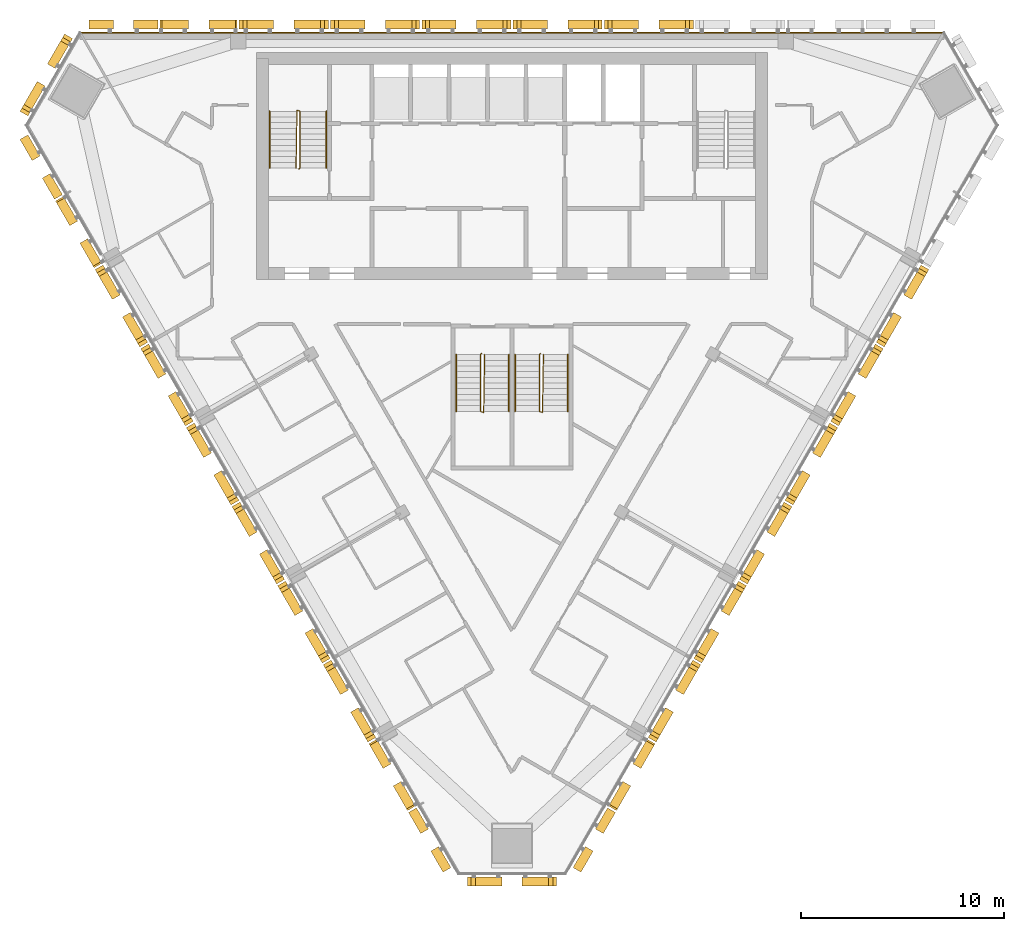
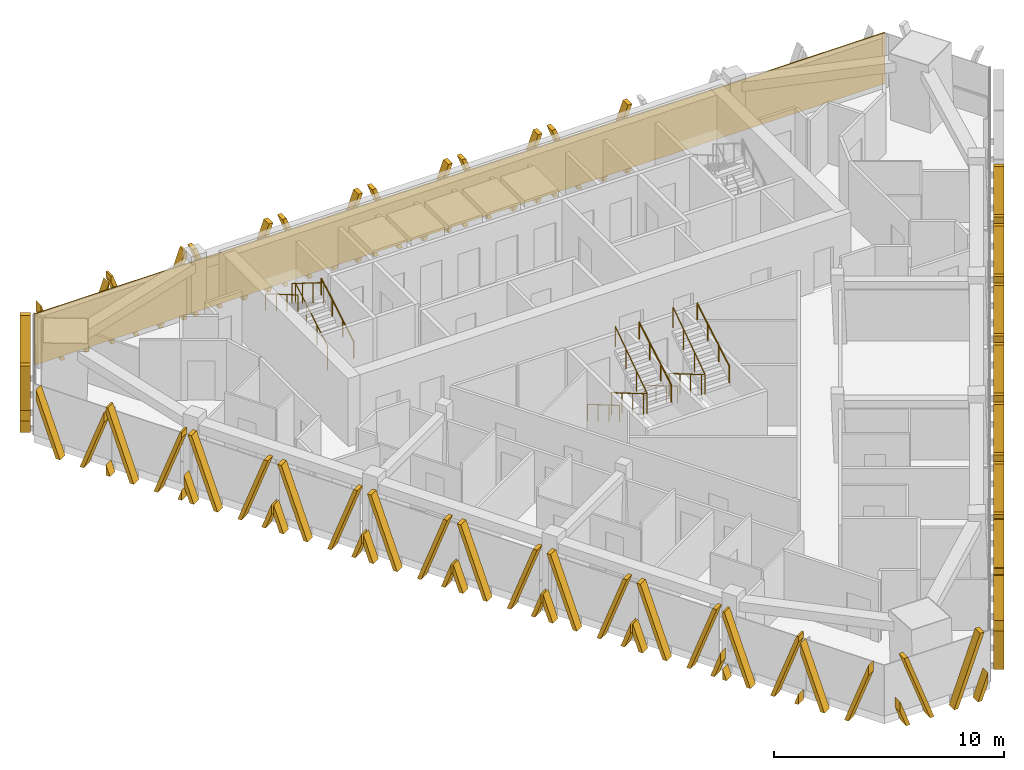
# One storey, part 13 of 15: 27 shading devices, 9 railings, 1 covering.
"""IFC4 building model written with IfcOpenShell, lengths in metres."""

from ifc_helpers import new_model, si_unit, direction, frame, frame_2d, origin, origin_2d, place, context, subcontext, project, spatial, polyline, rectangle, circle, outline, extrude, source, transform, mapped, material, layer, layer_set, type_object, element, save


model = new_model("IFC4")

# Units and contexts
model_context = context("Model", 3, precision=1e-05, world=origin(), true_north=direction((0.0, 1.0)))
body_context = subcontext(model_context, "Body", "Model", "MODEL_VIEW")
ifc_project = project(units=[si_unit("LENGTHUNIT", "METRE"), si_unit("AREAUNIT", "SQUARE_METRE"), si_unit("VOLUMEUNIT", "CUBIC_METRE"), si_unit("PLANEANGLEUNIT", "RADIAN"), si_unit("MASSUNIT", "GRAM", prefix="KILO")], contexts=[model_context])

# Site, building, storey
site_placement = place(None, origin())
site = spatial("IfcSite", under=ifc_project, at=site_placement, CompositionType="ELEMENT")
building_placement = place(site_placement, origin())
building = spatial("IfcBuilding", under=site, at=building_placement, Name="Altiplano Prism Tower", CompositionType="ELEMENT")
storey_placement = place(building_placement, frame((0.0, 0.0, 246.39990234375)))
storey = spatial("IfcBuildingStorey", under=building, at=storey_placement, Name="L63", CompositionType="ELEMENT", Elevation=246.39990234375)

# Railings
ifc_material_1 = material(Name="Steel S355", Category="steel")
railing_type_1 = type_object("IfcRailingType", Name="Stair guard 1100", PredefinedType="GUARDRAIL", material=ifc_material_1)
railing_1_placement = place(storey_placement, frame((74.5, 98.25, 0.0)))
element("IfcRailing", 1, at=railing_1_placement, inside=storey, type_object=railing_type_1, Name="L63 ST1 stair guard 1", PredefinedType="GUARDRAIL", context=body_context, shape_type="SweptSolid", body=[
    extrude(circle(Radius=0.02392578125, at=origin_2d()), frame((0.0, 0.0, 1.076171875), z_axis=(0.280456126637, 0.280456126637, 0.917980785237), x_axis=(-0.707106781187, 0.707106781187, 0.0)), (0.0, 0.0, 1.0), 0.178466796875),
    extrude(circle(Radius=0.02392578125, at=origin_2d()), frame((0.050048828125, 0.050048828125, 1.23974609375), z_axis=(0.0, 0.863393664356, 0.504530851732), x_axis=(-1.0, 0.0, 0.0)), (0.0, 0.0, 1.0), 3.2431640625),
    extrude(circle(Radius=0.02392578125, at=origin_2d()), frame((0.050048828125, 2.85009765625, 2.8759765625), z_axis=(-0.949145278916, 0.314838433982, 0.0), x_axis=(-0.314838433982, -0.949145278916, 0.0)), (0.0, 0.0, 1.0), 0.158203125),
    extrude(circle(Radius=0.02392578125, at=origin_2d()), frame((-0.10009765625, 2.89990234375, 2.8759765625), z_axis=(-0.01477401265, -0.845377694409, 0.533964682676), x_axis=(0.999847325713, -0.01747355902, 0.0)), (0.0, 0.0, 1.0), 3.37109375),
    extrude(circle(Radius=0.02099609375, at=origin_2d()), origin(), (0.0, 0.0, 1.0), 1.052001953125),
    extrude(circle(Radius=0.02099609375, at=origin_2d()), frame((0.050048828125, 0.050048828125, 0.163818359375)), (0.0, 0.0, 1.0), 1.052001953125),
    extrude(circle(Radius=0.02099609375, at=origin_2d()), frame((0.050048828125, 0.9833984375, 0.709228515625)), (0.0, 0.0, 1.0), 1.052001953125),
    extrude(circle(Radius=0.02099609375, at=origin_2d()), frame((0.050048828125, 1.916748046875, 1.254638671875)), (0.0, 0.0, 1.0), 1.052001953125),
    extrude(circle(Radius=0.02099609375, at=origin_2d()), frame((0.050048828125, 2.85009765625, 1.800048828125)), (0.0, 0.0, 1.0), 1.052001953125),
    extrude(circle(Radius=0.02099609375, at=origin_2d()), frame((-0.10009765625, 2.89990234375, 1.800048828125)), (0.0, 0.0, 1.0), 1.052001953125),
    extrude(circle(Radius=0.02099609375, at=origin_2d()), frame((-0.11669921875, 1.949951171875, 2.400146484375)), (0.0, 0.0, 1.0), 1.052001953125),
    extrude(circle(Radius=0.02099609375, at=origin_2d()), frame((-0.13330078125, 1.0, 3.0)), (0.0, 0.0, 1.0), 1.052001953125),
    extrude(circle(Radius=0.02099609375, at=origin_2d()), frame((-0.14990234375, 0.050048828125, 3.60009765625)), (0.0, 0.0, 1.0), 1.052001953125),
])
railing_2_placement = place(storey_placement, frame((83.5, 89.14990234375, 0.0)))
element("IfcRailing", 2, at=railing_2_placement, inside=storey, type_object=railing_type_1, Name="L63 ST3A stair guard 1", PredefinedType="GUARDRAIL", context=body_context, shape_type="SweptSolid", body=[
    extrude(circle(Radius=0.02392578125, at=origin_2d()), frame((0.0, 0.0, 1.076171875), z_axis=(-0.280563532951, -0.279194930351, 0.91833234444), x_axis=(0.705375805398, -0.708833529934, 0.0)), (0.0, 0.0, 1.0), 0.178466796875),
    extrude(circle(Radius=0.02392578125, at=origin_2d()), frame((-0.050048828125, -0.0498046875, 1.23974609375), z_axis=(0.0, -0.863393664356, 0.504530851732), x_axis=(1.0, 0.0, 0.0)), (0.0, 0.0, 1.0), 3.2431640625),
    extrude(circle(Radius=0.02392578125, at=origin_2d()), frame((-0.050048828125, -2.849853515625, 2.8759765625), z_axis=(0.948683298051, -0.316227766017, 0.0), x_axis=(0.316227766017, 0.948683298051, 0.0)), (0.0, 0.0, 1.0), 0.158203125),
    extrude(circle(Radius=0.02392578125, at=origin_2d()), frame((0.10009765625, -2.89990234375, 2.8759765625), z_axis=(0.014773108175, 0.84539835705, 0.533931993021), x_axis=(-0.999847351862, 0.017472062685, 0.0)), (0.0, 0.0, 1.0), 3.371337890625),
    extrude(circle(Radius=0.02099609375, at=origin_2d()), origin(), (0.0, 0.0, 1.0), 1.052001953125),
    extrude(circle(Radius=0.02099609375, at=origin_2d()), frame((-0.050048828125, -0.0498046875, 0.163818359375)), (0.0, 0.0, 1.0), 1.052001953125),
    extrude(circle(Radius=0.02099609375, at=origin_2d()), frame((-0.050048828125, -0.983154296875, 0.709228515625)), (0.0, 0.0, 1.0), 1.052001953125),
    extrude(circle(Radius=0.02099609375, at=origin_2d()), frame((-0.050048828125, -1.91650390625, 1.254638671875)), (0.0, 0.0, 1.0), 1.052001953125),
    extrude(circle(Radius=0.02099609375, at=origin_2d()), frame((-0.050048828125, -2.849853515625, 1.800048828125)), (0.0, 0.0, 1.0), 1.052001953125),
    extrude(circle(Radius=0.02099609375, at=origin_2d()), frame((0.10009765625, -2.89990234375, 1.800048828125)), (0.0, 0.0, 1.0), 1.052001953125),
    extrude(circle(Radius=0.02099609375, at=origin_2d()), frame((0.11669921875, -1.949951171875, 2.400146484375)), (0.0, 0.0, 1.0), 1.052001953125),
    extrude(circle(Radius=0.02099609375, at=origin_2d()), frame((0.13330078125, -0.999755859375, 3.0)), (0.0, 0.0, 1.0), 1.052001953125),
    extrude(circle(Radius=0.02099609375, at=origin_2d()), frame((0.14990234375, -0.0498046875, 3.60009765625)), (0.0, 0.0, 1.0), 1.052001953125),
])
railing_3_placement = place(storey_placement, frame((86.39990234375, 89.14990234375, 0.0)))
element("IfcRailing", 3, at=railing_3_placement, inside=storey, type_object=railing_type_1, Name="L63 ST3B stair guard 1", PredefinedType="GUARDRAIL", context=body_context, shape_type="SweptSolid", body=[
    extrude(circle(Radius=0.02392578125, at=origin_2d()), frame((0.0, 0.0, 1.076171875), z_axis=(-0.279301935624, -0.279301935624, 0.918684307863), x_axis=(0.707106781187, -0.707106781187, 0.0)), (0.0, 0.0, 1.0), 0.17822265625),
    extrude(circle(Radius=0.02392578125, at=origin_2d()), frame((-0.0498046875, -0.0498046875, 1.23974609375), z_axis=(0.0, -0.863393664356, 0.504530851732), x_axis=(1.0, 0.0, 0.0)), (0.0, 0.0, 1.0), 3.2431640625),
    extrude(circle(Radius=0.02392578125, at=origin_2d()), frame((-0.0498046875, -2.849853515625, 2.8759765625), z_axis=(0.948528701346, -0.316691178788, 0.0), x_axis=(0.316691178788, 0.948528701346, 0.0)), (0.0, 0.0, 1.0), 0.157958984375),
    extrude(circle(Radius=0.02392578125, at=origin_2d()), frame((0.10009765625, -2.89990234375, 2.8759765625), z_axis=(0.014845509451, 0.845397450405, 0.533931420407), x_axis=(-0.999845851991, 0.017557683712, 0.0)), (0.0, 0.0, 1.0), 3.371337890625),
    extrude(circle(Radius=0.02099609375, at=origin_2d()), origin(), (0.0, 0.0, 1.0), 1.052001953125),
    extrude(circle(Radius=0.02099609375, at=origin_2d()), frame((-0.0498046875, -0.0498046875, 0.163818359375)), (0.0, 0.0, 1.0), 1.052001953125),
    extrude(circle(Radius=0.02099609375, at=origin_2d()), frame((-0.0498046875, -0.983154296875, 0.709228515625)), (0.0, 0.0, 1.0), 1.052001953125),
    extrude(circle(Radius=0.02099609375, at=origin_2d()), frame((-0.0498046875, -1.91650390625, 1.254638671875)), (0.0, 0.0, 1.0), 1.052001953125),
    extrude(circle(Radius=0.02099609375, at=origin_2d()), frame((-0.0498046875, -2.849853515625, 1.800048828125)), (0.0, 0.0, 1.0), 1.052001953125),
    extrude(circle(Radius=0.02099609375, at=origin_2d()), frame((0.10009765625, -2.89990234375, 1.800048828125)), (0.0, 0.0, 1.0), 1.052001953125),
    extrude(circle(Radius=0.02099609375, at=origin_2d()), frame((0.11669921875, -1.949951171875, 2.400146484375)), (0.0, 0.0, 1.0), 1.052001953125),
    extrude(circle(Radius=0.02099609375, at=origin_2d()), frame((0.133544921875, -0.999755859375, 3.0)), (0.0, 0.0, 1.0), 1.052001953125),
    extrude(circle(Radius=0.02099609375, at=origin_2d()), frame((0.150146484375, -0.0498046875, 3.60009765625)), (0.0, 0.0, 1.0), 1.052001953125),
])
railing_type_2 = type_object("IfcRailingType", Name="Stair handrail 900", PredefinedType="HANDRAIL", material=ifc_material_1)
railing_4_placement = place(storey_placement, frame((75.85009765625, 98.300048828125, 0.163818359375)))
element("IfcRailing", 4, at=railing_4_placement, inside=storey, type_object=railing_type_2, Name="L63 ST1 stair handrail 1", PredefinedType="HANDRAIL", context=body_context, shape_type="SweptSolid", body=[
    extrude(circle(Radius=0.02392578125, at=origin_2d()), frame((0.0, 0.0, 0.8759765625), z_axis=(0.0, 0.863393664356, 0.504530851732), x_axis=(-1.0, 0.0, 0.0)), (0.0, 0.0, 1.0), 3.2431640625),
    extrude(circle(Radius=0.02099609375, at=origin_2d()), origin(), (0.0, 0.0, 1.0), 0.851806640625),
    extrude(circle(Radius=0.02099609375, at=origin_2d()), frame((0.0, 0.933349609375, 0.54541015625)), (0.0, 0.0, 1.0), 0.851806640625),
    extrude(circle(Radius=0.02099609375, at=origin_2d()), frame((0.0, 1.86669921875, 1.0908203125)), (0.0, 0.0, 1.0), 0.851806640625),
    extrude(circle(Radius=0.02099609375, at=origin_2d()), frame((0.0, 2.800048828125, 1.63623046875)), (0.0, 0.0, 1.0), 0.851806640625),
])
railing_5_placement = place(storey_placement, frame((73.050048828125, 101.10009765625, 1.963623046875)))
element("IfcRailing", 5, at=railing_5_placement, inside=storey, type_object=railing_type_2, Name="L63 ST1 stair handrail 2", PredefinedType="HANDRAIL", context=body_context, shape_type="SweptSolid", body=[
    extrude(circle(Radius=0.02392578125, at=origin_2d()), frame((0.0, 0.0, 0.8759765625), z_axis=(0.0, -0.863360870873, 0.504586966384), x_axis=(1.0, 0.0, 0.0)), (0.0, 0.0, 1.0), 3.2431640625),
    extrude(circle(Radius=0.02099609375, at=origin_2d()), origin(), (0.0, 0.0, 1.0), 0.851806640625),
    extrude(circle(Radius=0.02099609375, at=origin_2d()), frame((0.0, -0.933349609375, 0.54541015625)), (0.0, 0.0, 1.0), 0.851806640625),
    extrude(circle(Radius=0.02099609375, at=origin_2d()), frame((0.0, -1.86669921875, 1.091064453125)), (0.0, 0.0, 1.0), 0.851806640625),
    extrude(circle(Radius=0.02099609375, at=origin_2d()), frame((0.0, -2.800048828125, 1.636474609375)), (0.0, 0.0, 1.0), 0.851806640625),
])
railing_6_placement = place(storey_placement, frame((82.25, 89.10009765625, 0.163818359375)))
element("IfcRailing", 6, at=railing_6_placement, inside=storey, type_object=railing_type_2, Name="L63 ST3A stair handrail 1", PredefinedType="HANDRAIL", context=body_context, shape_type="SweptSolid", body=[
    extrude(circle(Radius=0.02392578125, at=origin_2d()), frame((0.0, 0.0, 0.8759765625), z_axis=(0.0, -0.863393664356, 0.504530851732), x_axis=(1.0, 0.0, 0.0)), (0.0, 0.0, 1.0), 3.2431640625),
    extrude(circle(Radius=0.02099609375, at=origin_2d()), origin(), (0.0, 0.0, 1.0), 0.851806640625),
    extrude(circle(Radius=0.02099609375, at=origin_2d()), frame((0.0, -0.933349609375, 0.54541015625)), (0.0, 0.0, 1.0), 0.851806640625),
    extrude(circle(Radius=0.02099609375, at=origin_2d()), frame((0.0, -1.86669921875, 1.0908203125)), (0.0, 0.0, 1.0), 0.851806640625),
    extrude(circle(Radius=0.02099609375, at=origin_2d()), frame((0.0, -2.800048828125, 1.63623046875)), (0.0, 0.0, 1.0), 0.851806640625),
])
railing_7_placement = place(storey_placement, frame((84.85009765625, 86.300048828125, 1.963623046875)))
element("IfcRailing", 7, at=railing_7_placement, inside=storey, type_object=railing_type_2, Name="L63 ST3A stair handrail 2", PredefinedType="HANDRAIL", context=body_context, shape_type="SweptSolid", body=[
    extrude(circle(Radius=0.02392578125, at=origin_2d()), frame((0.0, 0.0, 0.8759765625), z_axis=(0.0, 0.863360870873, 0.504586966384), x_axis=(-1.0, 0.0, 0.0)), (0.0, 0.0, 1.0), 3.2431640625),
    extrude(circle(Radius=0.02099609375, at=origin_2d()), origin(), (0.0, 0.0, 1.0), 0.851806640625),
    extrude(circle(Radius=0.02099609375, at=origin_2d()), frame((0.0, 0.933349609375, 0.54541015625)), (0.0, 0.0, 1.0), 0.851806640625),
    extrude(circle(Radius=0.02099609375, at=origin_2d()), frame((0.0, 1.86669921875, 1.091064453125)), (0.0, 0.0, 1.0), 0.851806640625),
    extrude(circle(Radius=0.02099609375, at=origin_2d()), frame((0.0, 2.800048828125, 1.636474609375)), (0.0, 0.0, 1.0), 0.851806640625),
])
railing_8_placement = place(storey_placement, frame((85.14990234375, 89.10009765625, 0.163818359375)))
element("IfcRailing", 8, at=railing_8_placement, inside=storey, type_object=railing_type_2, Name="L63 ST3B stair handrail 1", PredefinedType="HANDRAIL", context=body_context, shape_type="SweptSolid", body=[
    extrude(circle(Radius=0.02392578125, at=origin_2d()), frame((0.0, 0.0, 0.8759765625), z_axis=(0.0, -0.863393664356, 0.504530851732), x_axis=(1.0, 0.0, 0.0)), (0.0, 0.0, 1.0), 3.2431640625),
    extrude(circle(Radius=0.02099609375, at=origin_2d()), origin(), (0.0, 0.0, 1.0), 0.851806640625),
    extrude(circle(Radius=0.02099609375, at=origin_2d()), frame((0.0, -0.933349609375, 0.54541015625)), (0.0, 0.0, 1.0), 0.851806640625),
    extrude(circle(Radius=0.02099609375, at=origin_2d()), frame((0.0, -1.86669921875, 1.0908203125)), (0.0, 0.0, 1.0), 0.851806640625),
    extrude(circle(Radius=0.02099609375, at=origin_2d()), frame((0.0, -2.800048828125, 1.63623046875)), (0.0, 0.0, 1.0), 0.851806640625),
])
railing_9_placement = place(storey_placement, frame((87.75, 86.300048828125, 1.963623046875)))
element("IfcRailing", 9, at=railing_9_placement, inside=storey, type_object=railing_type_2, Name="L63 ST3B stair handrail 2", PredefinedType="HANDRAIL", context=body_context, shape_type="SweptSolid", body=[
    extrude(circle(Radius=0.02392578125, at=origin_2d()), frame((0.0, 0.0, 0.8759765625), z_axis=(0.0, 0.863360870873, 0.504586966384), x_axis=(-1.0, 0.0, 0.0)), (0.0, 0.0, 1.0), 3.2431640625),
    extrude(circle(Radius=0.02099609375, at=origin_2d()), origin(), (0.0, 0.0, 1.0), 0.851806640625),
    extrude(circle(Radius=0.02099609375, at=origin_2d()), frame((0.0, 0.933349609375, 0.54541015625)), (0.0, 0.0, 1.0), 0.851806640625),
    extrude(circle(Radius=0.02099609375, at=origin_2d()), frame((0.0, 1.86669921875, 1.091064453125)), (0.0, 0.0, 1.0), 0.851806640625),
    extrude(circle(Radius=0.02099609375, at=origin_2d()), frame((0.0, 2.800048828125, 1.636474609375)), (0.0, 0.0, 1.0), 0.851806640625),
])

# Covering
ifc_material_2 = material(Name="Warm limestone cast stone", Category="masonry")
ifc_layer = layer(ifc_material_2, 0.06005859375)
ifc_layer_set = layer_set([ifc_layer], Name="Warm limestone cast stone")
covering_type = type_object("IfcCoveringType", Name="Stone cladding 60", PredefinedType="CLADDING", material=ifc_layer_set)
covering_placement = place(storey_placement, frame((63.685791015625, 104.969970703125, 0.0), z_axis=(0.0, 0.0, 1.0), x_axis=(1.0, 0.0, 0.0)))
element("IfcCovering", 10, at=covering_placement, inside=storey, type_object=covering_type, Name="Stone cladding north face L63", PredefinedType="CLADDING", context=body_context, shape_type="SweptSolid", body=[
    extrude(rectangle(XDim=42.62841796875, YDim=0.06005859375, at=frame_2d((21.314208984375, 0.0))), origin(), (0.0, 0.0, 1.0), 2.7001953125),
])

# Shading devices
shading_device_type_1 = type_object("IfcShadingDeviceType", Name="Stone fin panel, standard unit", PredefinedType="USERDEFINED", material=ifc_material_2)
shared_shape_1 = source(origin(), body_context, "Body", "SweptSolid", [
    extrude(outline(polyline([(-2.199951171875, 1.373779296875), (-2.199951171875, 0.82421875), (-1.89990234375, 0.0), (-1.699951171875, 0.0), (-2.199951171875, 1.373779296875)])), frame((0.0, -0.14990234375, 0.0), z_axis=(0.0, -1.0, 0.0), x_axis=(1.0, 0.0, 0.0)), (0.0, 0.0, 1.0), 0.4501953125),
    extrude(outline(polyline([(-2.01025390625, 3.60009765625), (-0.699951171875, 0.0), (-0.5, 0.0), (-1.810302734375, 3.60009765625), (-2.01025390625, 3.60009765625)])), frame((0.0, -0.14990234375, 0.0), z_axis=(0.0, -1.0, 0.0), x_axis=(1.0, 0.0, 0.0)), (0.0, 0.0, 1.0), 0.4501953125),
    extrude(outline(polyline([(1.810302734375, 3.60009765625), (0.5, 0.0), (0.699951171875, 0.0), (2.01025390625, 3.60009765625), (1.810302734375, 3.60009765625)])), frame((0.0, -0.14990234375, 0.0), z_axis=(0.0, -1.0, 0.0), x_axis=(1.0, 0.0, 0.0)), (0.0, 0.0, 1.0), 0.4501953125),
    extrude(outline(polyline([(2.199951171875, 0.82421875), (2.199951171875, 1.373779296875), (1.699951171875, 0.0), (1.89990234375, 0.0), (2.199951171875, 0.82421875)])), frame((0.0, -0.14990234375, 0.0), z_axis=(0.0, -1.0, 0.0), x_axis=(1.0, 0.0, 0.0)), (0.0, 0.0, 1.0), 0.4501953125),
])
shading_device_1_placement = place(storey_placement, origin())
element("IfcShadingDevice", 11, at=shading_device_1_placement, inside=storey, type_object=shading_device_type_1, Name="Fin L63 north face 4", ObjectType="FIN", PredefinedType="USERDEFINED", context=body_context, shape_type="MappedRepresentation", body=[
    mapped(shared_shape_1, transform((91.75, 105.0, -0.39990234375), x_axis=(-1.0, 0.0, 0.0), y_axis=(0.0, -1.0, 0.0), z_axis=(0.0, 0.0, 1.0))),
])
shading_device_2_placement = place(storey_placement, origin())
element("IfcShadingDevice", 12, at=shading_device_2_placement, inside=storey, type_object=shading_device_type_1, Name="Fin L63 north face 5", ObjectType="FIN", PredefinedType="USERDEFINED", context=body_context, shape_type="MappedRepresentation", body=[
    mapped(shared_shape_1, transform((87.25, 105.0, -0.39990234375), x_axis=(-1.0, 0.0, 0.0), y_axis=(0.0, -1.0, 0.0), z_axis=(0.0, 0.0, 1.0))),
])
shading_device_3_placement = place(storey_placement, origin())
element("IfcShadingDevice", 13, at=shading_device_3_placement, inside=storey, type_object=shading_device_type_1, Name="Fin L63 north face 6", ObjectType="FIN", PredefinedType="USERDEFINED", context=body_context, shape_type="MappedRepresentation", body=[
    mapped(shared_shape_1, transform((82.75, 105.0, -0.39990234375), x_axis=(-1.0, 0.0, 0.0), y_axis=(0.0, -1.0, 0.0), z_axis=(0.0, 0.0, 1.0))),
])
shading_device_4_placement = place(storey_placement, origin())
element("IfcShadingDevice", 14, at=shading_device_4_placement, inside=storey, type_object=shading_device_type_1, Name="Fin L63 north face 7", ObjectType="FIN", PredefinedType="USERDEFINED", context=body_context, shape_type="MappedRepresentation", body=[
    mapped(shared_shape_1, transform((78.25, 105.0, -0.39990234375), x_axis=(-1.0, 0.0, 0.0), y_axis=(0.0, -1.0, 0.0), z_axis=(0.0, 0.0, 1.0))),
])
shading_device_5_placement = place(storey_placement, origin())
element("IfcShadingDevice", 15, at=shading_device_5_placement, inside=storey, type_object=shading_device_type_1, Name="Fin L63 north face 8", ObjectType="FIN", PredefinedType="USERDEFINED", context=body_context, shape_type="MappedRepresentation", body=[
    mapped(shared_shape_1, transform((73.75, 105.0, -0.39990234375), x_axis=(-1.0, 0.0, 0.0), y_axis=(0.0, -1.0, 0.0), z_axis=(0.0, 0.0, 1.0))),
])
shading_device_type_2 = type_object("IfcShadingDeviceType", Name="Stone fin panel, chamfer unit", PredefinedType="USERDEFINED", material=ifc_material_2)
shading_device_6_placement = place(storey_placement, origin())
element("IfcShadingDevice", 16, at=shading_device_6_placement, inside=storey, type_object=shading_device_type_2, Name="Fin L63 north-west chamfer 1", ObjectType="FIN", PredefinedType="USERDEFINED", context=body_context, shape_type="MappedRepresentation", body=[
    mapped(shared_shape_1, transform((62.358642578125, 102.701171875, -0.39990234375), x_axis=(-0.500000016987, -0.866025393977, 0.0), y_axis=(0.866025393977, -0.500000016987, 0.0), z_axis=(0.0, 0.0, 1.0))),
])
shading_device_7_placement = place(storey_placement, origin())
element("IfcShadingDevice", 17, at=shading_device_7_placement, inside=storey, type_object=shading_device_type_1, Name="Fin L63 south-west face 3", ObjectType="FIN", PredefinedType="USERDEFINED", context=body_context, shape_type="MappedRepresentation", body=[
    mapped(shared_shape_1, transform((66.0634765625, 91.6865234375, -0.39990234375), x_axis=(0.500000006139, -0.86602540024, 0.0), y_axis=(0.86602540024, 0.500000006139, 0.0), z_axis=(0.0, 0.0, 1.0))),
])
shading_device_8_placement = place(storey_placement, origin())
element("IfcShadingDevice", 18, at=shading_device_8_placement, inside=storey, type_object=shading_device_type_1, Name="Fin L63 south-west face 4", ObjectType="FIN", PredefinedType="USERDEFINED", context=body_context, shape_type="MappedRepresentation", body=[
    mapped(shared_shape_1, transform((68.3134765625, 87.789306640625, -0.39990234375), x_axis=(0.500000006139, -0.86602540024, 0.0), y_axis=(0.86602540024, 0.500000006139, 0.0), z_axis=(0.0, 0.0, 1.0))),
])
shading_device_9_placement = place(storey_placement, origin())
element("IfcShadingDevice", 19, at=shading_device_9_placement, inside=storey, type_object=shading_device_type_1, Name="Fin L63 south-west face 5", ObjectType="FIN", PredefinedType="USERDEFINED", context=body_context, shape_type="MappedRepresentation", body=[
    mapped(shared_shape_1, transform((70.5634765625, 83.89208984375, -0.39990234375), x_axis=(0.500000006139, -0.86602540024, 0.0), y_axis=(0.86602540024, 0.500000006139, 0.0), z_axis=(0.0, 0.0, 1.0))),
])
shading_device_10_placement = place(storey_placement, origin())
element("IfcShadingDevice", 20, at=shading_device_10_placement, inside=storey, type_object=shading_device_type_1, Name="Fin L63 south-west face 6", ObjectType="FIN", PredefinedType="USERDEFINED", context=body_context, shape_type="MappedRepresentation", body=[
    mapped(shared_shape_1, transform((72.8134765625, 79.9951171875, -0.39990234375), x_axis=(0.500000006139, -0.86602540024, 0.0), y_axis=(0.86602540024, 0.500000006139, 0.0), z_axis=(0.0, 0.0, 1.0))),
])
shading_device_11_placement = place(storey_placement, origin())
element("IfcShadingDevice", 21, at=shading_device_11_placement, inside=storey, type_object=shading_device_type_1, Name="Fin L63 south-west face 7", ObjectType="FIN", PredefinedType="USERDEFINED", context=body_context, shape_type="MappedRepresentation", body=[
    mapped(shared_shape_1, transform((75.0634765625, 76.097900390625, -0.39990234375), x_axis=(0.500000006139, -0.86602540024, 0.0), y_axis=(0.86602540024, 0.500000006139, 0.0), z_axis=(0.0, 0.0, 1.0))),
])
shading_device_12_placement = place(storey_placement, origin())
element("IfcShadingDevice", 22, at=shading_device_12_placement, inside=storey, type_object=shading_device_type_1, Name="Fin L63 south-west face 8", ObjectType="FIN", PredefinedType="USERDEFINED", context=body_context, shape_type="MappedRepresentation", body=[
    mapped(shared_shape_1, transform((77.3134765625, 72.200927734375, -0.39990234375), x_axis=(0.500000006139, -0.86602540024, 0.0), y_axis=(0.86602540024, 0.500000006139, 0.0), z_axis=(0.0, 0.0, 1.0))),
])
shading_device_13_placement = place(storey_placement, origin())
element("IfcShadingDevice", 23, at=shading_device_13_placement, inside=storey, type_object=shading_device_type_2, Name="Fin L63 south chamfer 1", ObjectType="FIN", PredefinedType="USERDEFINED", context=body_context, shape_type="MappedRepresentation", body=[
    mapped(shared_shape_1, transform((85.0, 63.485107421875, -0.39990234375), x_axis=(1.0, 0.0, 0.0), y_axis=(0.0, 1.0, 0.0), z_axis=(0.0, 0.0, 1.0))),
])
shading_device_14_placement = place(storey_placement, origin())
element("IfcShadingDevice", 24, at=shading_device_14_placement, inside=storey, type_object=shading_device_type_1, Name="Fin L63 south-east face 3", ObjectType="FIN", PredefinedType="USERDEFINED", context=body_context, shape_type="MappedRepresentation", body=[
    mapped(shared_shape_1, transform((92.6865234375, 72.200927734375, -0.39990234375), x_axis=(0.500000006139, 0.86602540024, 0.0), y_axis=(-0.86602540024, 0.500000006139, 0.0), z_axis=(0.0, 0.0, 1.0))),
])
shading_device_15_placement = place(storey_placement, origin())
element("IfcShadingDevice", 25, at=shading_device_15_placement, inside=storey, type_object=shading_device_type_1, Name="Fin L63 south-east face 4", ObjectType="FIN", PredefinedType="USERDEFINED", context=body_context, shape_type="MappedRepresentation", body=[
    mapped(shared_shape_1, transform((94.9365234375, 76.097900390625, -0.39990234375), x_axis=(0.500000006139, 0.86602540024, 0.0), y_axis=(-0.86602540024, 0.500000006139, 0.0), z_axis=(0.0, 0.0, 1.0))),
])
shading_device_16_placement = place(storey_placement, origin())
element("IfcShadingDevice", 26, at=shading_device_16_placement, inside=storey, type_object=shading_device_type_1, Name="Fin L63 south-east face 5", ObjectType="FIN", PredefinedType="USERDEFINED", context=body_context, shape_type="MappedRepresentation", body=[
    mapped(shared_shape_1, transform((97.1865234375, 79.9951171875, -0.39990234375), x_axis=(0.500000006139, 0.86602540024, 0.0), y_axis=(-0.86602540024, 0.500000006139, 0.0), z_axis=(0.0, 0.0, 1.0))),
])
shading_device_17_placement = place(storey_placement, origin())
element("IfcShadingDevice", 27, at=shading_device_17_placement, inside=storey, type_object=shading_device_type_1, Name="Fin L63 south-east face 6", ObjectType="FIN", PredefinedType="USERDEFINED", context=body_context, shape_type="MappedRepresentation", body=[
    mapped(shared_shape_1, transform((99.4365234375, 83.89208984375, -0.39990234375), x_axis=(0.500000006139, 0.86602540024, 0.0), y_axis=(-0.86602540024, 0.500000006139, 0.0), z_axis=(0.0, 0.0, 1.0))),
])
shading_device_18_placement = place(storey_placement, origin())
element("IfcShadingDevice", 28, at=shading_device_18_placement, inside=storey, type_object=shading_device_type_1, Name="Fin L63 south-east face 7", ObjectType="FIN", PredefinedType="USERDEFINED", context=body_context, shape_type="MappedRepresentation", body=[
    mapped(shared_shape_1, transform((101.6865234375, 87.789306640625, -0.39990234375), x_axis=(0.500000006139, 0.86602540024, 0.0), y_axis=(-0.86602540024, 0.500000006139, 0.0), z_axis=(0.0, 0.0, 1.0))),
])
shading_device_19_placement = place(storey_placement, origin())
element("IfcShadingDevice", 29, at=shading_device_19_placement, inside=storey, type_object=shading_device_type_1, Name="Fin L63 south-east face 8", ObjectType="FIN", PredefinedType="USERDEFINED", context=body_context, shape_type="MappedRepresentation", body=[
    mapped(shared_shape_1, transform((103.9365234375, 91.6865234375, -0.39990234375), x_axis=(0.500000006139, 0.86602540024, 0.0), y_axis=(-0.86602540024, 0.500000006139, 0.0), z_axis=(0.0, 0.0, 1.0))),
])
shading_device_type_3 = type_object("IfcShadingDeviceType", Name="Stone fin panel, narrow closing bay", PredefinedType="USERDEFINED", material=ifc_material_2)
shared_shape_2 = source(origin(), body_context, "Body", "SweptSolid", [
    extrude(outline(polyline([(-1.699951171875, 3.297119140625), (-1.699951171875, 2.74755859375), (-0.699951171875, 0.0), (-0.5, 0.0), (-1.699951171875, 3.297119140625)])), frame((0.0, -0.14990234375, 0.0), z_axis=(0.0, -1.0, 0.0), x_axis=(1.0, 0.0, 0.0)), (0.0, 0.0, 1.0), 0.4501953125),
    extrude(outline(polyline([(1.699951171875, 2.74755859375), (1.699951171875, 3.297119140625), (0.5, 0.0), (0.699951171875, 0.0), (1.699951171875, 2.74755859375)])), frame((0.0, -0.14990234375, 0.0), z_axis=(0.0, -1.0, 0.0), x_axis=(1.0, 0.0, 0.0)), (0.0, 0.0, 1.0), 0.4501953125),
])
shading_device_20_placement = place(storey_placement, origin())
element("IfcShadingDevice", 30, at=shading_device_20_placement, inside=storey, type_object=shading_device_type_3, Name="Fin L63 north face 10", ObjectType="FIN", PredefinedType="USERDEFINED", context=body_context, shape_type="MappedRepresentation", body=[
    mapped(shared_shape_2, transform((65.83935546875, 105.0, -0.39990234375), x_axis=(-1.0, 0.0, 0.0), y_axis=(0.0, -1.0, 0.0), z_axis=(0.0, 0.0, 1.0))),
])
shading_device_21_placement = place(storey_placement, origin())
element("IfcShadingDevice", 31, at=shading_device_21_placement, inside=storey, type_object=shading_device_type_3, Name="Fin L63 south-west face 1", ObjectType="FIN", PredefinedType="USERDEFINED", context=body_context, shape_type="MappedRepresentation", body=[
    mapped(shared_shape_2, transform((62.108154296875, 98.537109375, -0.39990234375), x_axis=(0.500000006139, -0.86602540024, 0.0), y_axis=(0.86602540024, 0.500000006139, 0.0), z_axis=(0.0, 0.0, 1.0))),
])
shading_device_22_placement = place(storey_placement, origin())
element("IfcShadingDevice", 32, at=shading_device_22_placement, inside=storey, type_object=shading_device_type_3, Name="Fin L63 south-west face 10", ObjectType="FIN", PredefinedType="USERDEFINED", context=body_context, shape_type="MappedRepresentation", body=[
    mapped(shared_shape_2, transform((81.268798828125, 65.35009765625, -0.39990234375), x_axis=(0.500000006139, -0.86602540024, 0.0), y_axis=(0.86602540024, 0.500000006139, 0.0), z_axis=(0.0, 0.0, 1.0))),
])
shading_device_23_placement = place(storey_placement, origin())
element("IfcShadingDevice", 33, at=shading_device_23_placement, inside=storey, type_object=shading_device_type_3, Name="Fin L63 south-east face 1", ObjectType="FIN", PredefinedType="USERDEFINED", context=body_context, shape_type="MappedRepresentation", body=[
    mapped(shared_shape_2, transform((88.731201171875, 65.35009765625, -0.39990234375), x_axis=(0.500000006139, 0.86602540024, 0.0), y_axis=(-0.86602540024, 0.500000006139, 0.0), z_axis=(0.0, 0.0, 1.0))),
])
shared_shape_3 = source(origin(), body_context, "Body", "SweptSolid", [
    extrude(outline(polyline([(-1.89990234375, 3.60009765625), (-1.89990234375, 3.297119140625), (-0.699951171875, 0.0), (-0.5, 0.0), (-1.810302734375, 3.60009765625), (-1.89990234375, 3.60009765625)])), frame((0.0, -0.14990234375, 0.0), z_axis=(0.0, -1.0, 0.0), x_axis=(1.0, 0.0, 0.0)), (0.0, 0.0, 1.0), 0.4501953125),
    extrude(outline(polyline([(-1.89990234375, 0.549560546875), (-1.89990234375, 0.0), (-1.699951171875, 0.0), (-1.89990234375, 0.549560546875)])), frame((0.0, -0.14990234375, 0.0), z_axis=(0.0, -1.0, 0.0), x_axis=(1.0, 0.0, 0.0)), (0.0, 0.0, 1.0), 0.4501953125),
    extrude(outline(polyline([(1.810302734375, 3.60009765625), (0.5, 0.0), (0.699951171875, 0.0), (1.89990234375, 3.297119140625), (1.89990234375, 3.60009765625), (1.810302734375, 3.60009765625)])), frame((0.0, -0.14990234375, 0.0), z_axis=(0.0, -1.0, 0.0), x_axis=(1.0, 0.0, 0.0)), (0.0, 0.0, 1.0), 0.4501953125),
    extrude(outline(polyline([(1.89990234375, 0.0), (1.89990234375, 0.549560546875), (1.699951171875, 0.0), (1.89990234375, 0.0)])), frame((0.0, -0.14990234375, 0.0), z_axis=(0.0, -1.0, 0.0), x_axis=(1.0, 0.0, 0.0)), (0.0, 0.0, 1.0), 0.4501953125),
])
shading_device_24_placement = place(storey_placement, origin())
element("IfcShadingDevice", 34, at=shading_device_24_placement, inside=storey, type_object=shading_device_type_3, Name="Fin L63 north face 9", ObjectType="FIN", PredefinedType="USERDEFINED", context=body_context, shape_type="MappedRepresentation", body=[
    mapped(shared_shape_3, transform((69.54638671875, 105.0, -0.39990234375), x_axis=(-1.0, 0.0, 0.0), y_axis=(0.0, -1.0, 0.0), z_axis=(0.0, 0.0, 1.0))),
])
shading_device_25_placement = place(storey_placement, origin())
element("IfcShadingDevice", 35, at=shading_device_25_placement, inside=storey, type_object=shading_device_type_3, Name="Fin L63 south-west face 2", ObjectType="FIN", PredefinedType="USERDEFINED", context=body_context, shape_type="MappedRepresentation", body=[
    mapped(shared_shape_3, transform((63.961669921875, 95.32666015625, -0.39990234375), x_axis=(0.500000006139, -0.86602540024, 0.0), y_axis=(0.86602540024, 0.500000006139, 0.0), z_axis=(0.0, 0.0, 1.0))),
])
shading_device_26_placement = place(storey_placement, origin())
element("IfcShadingDevice", 36, at=shading_device_26_placement, inside=storey, type_object=shading_device_type_3, Name="Fin L63 south-west face 9", ObjectType="FIN", PredefinedType="USERDEFINED", context=body_context, shape_type="MappedRepresentation", body=[
    mapped(shared_shape_3, transform((79.4150390625, 68.560546875, -0.39990234375), x_axis=(0.500000006139, -0.86602540024, 0.0), y_axis=(0.86602540024, 0.500000006139, 0.0), z_axis=(0.0, 0.0, 1.0))),
])
shading_device_27_placement = place(storey_placement, origin())
element("IfcShadingDevice", 37, at=shading_device_27_placement, inside=storey, type_object=shading_device_type_3, Name="Fin L63 south-east face 2", ObjectType="FIN", PredefinedType="USERDEFINED", context=body_context, shape_type="MappedRepresentation", body=[
    mapped(shared_shape_3, transform((90.5849609375, 68.560546875, -0.39990234375), x_axis=(0.500000006139, 0.86602540024, 0.0), y_axis=(-0.86602540024, 0.500000006139, 0.0), z_axis=(0.0, 0.0, 1.0))),
])

save(model, "model.ifc")
